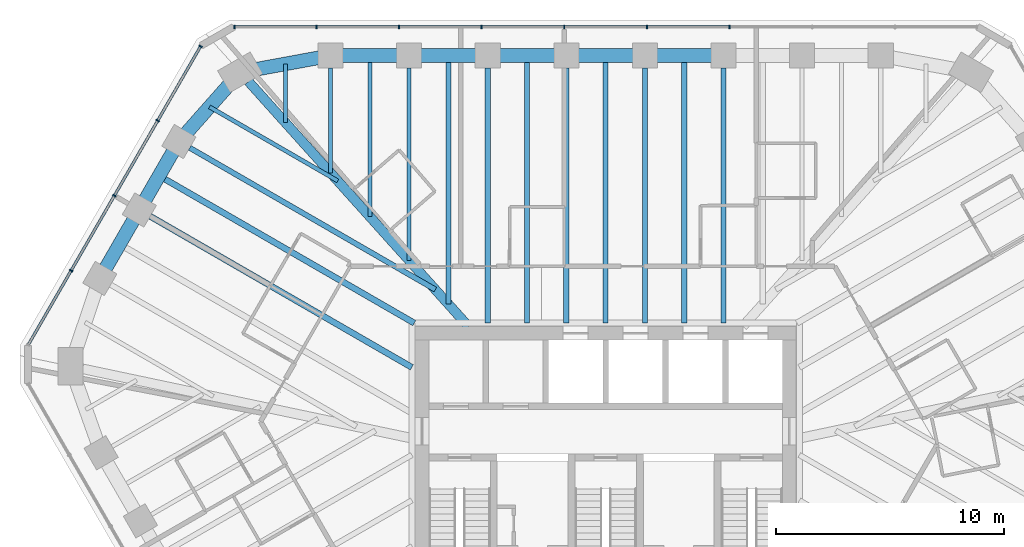
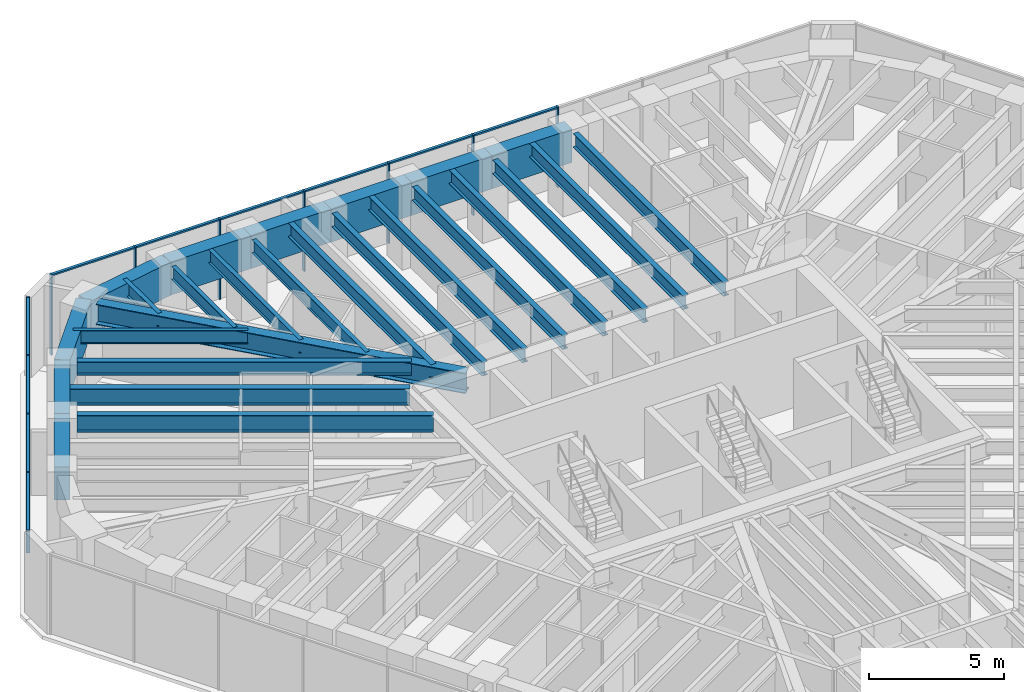
# One storey, part 6 of 14: 26 beams, 21 members, 2 elements without a shape of their own.
"""IFC4 building model written with IfcOpenShell, lengths in metres."""

from ifc_helpers import new_model, si_unit, direction, frame, origin, origin_2d, place, context, subcontext, project, spatial, rectangle, i_section, extrude, material, material_profile, profile_set, type_object, element, aggregate, save


model = new_model("IFC4")

# Units and contexts
model_context = context("Model", 3, precision=1e-05, world=origin(), true_north=direction((0.0, 1.0)))
body_context = subcontext(model_context, "Body", "Model", "MODEL_VIEW")
ifc_project = project(units=[si_unit("LENGTHUNIT", "METRE"), si_unit("AREAUNIT", "SQUARE_METRE"), si_unit("VOLUMEUNIT", "CUBIC_METRE"), si_unit("PLANEANGLEUNIT", "RADIAN"), si_unit("MASSUNIT", "GRAM", prefix="KILO")], contexts=[model_context])

# Site, building, storey
site_placement = place(None, origin())
site = spatial("IfcSite", under=ifc_project, at=site_placement, CompositionType="ELEMENT")
building_placement = place(site_placement, origin())
building = spatial("IfcBuilding", under=site, at=building_placement, Name="Sandreach Pilgrim Tower", CompositionType="ELEMENT")
storey_placement = place(building_placement, frame((0.0, 0.0, 264.60009765625)))
storey = spatial("IfcBuildingStorey", under=building, at=storey_placement, Name="L66", CompositionType="ELEMENT", Elevation=264.60009765625)

# Curtain wall, members
ifc_material_1 = material(Name="Aluminium framed curtain wall", Category="aluminium")
curtain_wall_type = type_object("IfcCurtainWallType", Name="Suite tower curtain wall", PredefinedType="NOTDEFINED", material=ifc_material_1)
curtain_wall_1_placement = place(storey_placement, origin())
curtain_wall_1 = element("IfcCurtainWall", 1, at=curtain_wall_1_placement, inside=storey, type_object=curtain_wall_type, Name="CW-4 L66 N", PredefinedType="NOTDEFINED")
ifc_material_2 = material(Name="Aluminium extrusion", Category="aluminium")
ifc_material_profile_1 = material_profile(ifc_material_2, rectangle(XDim=0.06005859375, YDim=0.159912109375, at=origin_2d()), Name="CW-4M 60X160")
ifc_profile_set_1 = profile_set([ifc_material_profile_1], Name="Aluminium extrusion")
member_type_1 = type_object("IfcMemberType", Name="CW-4 mullion", PredefinedType="MULLION", material=ifc_profile_set_1)
member_1_placement = place(storey_placement, frame((-16.268310546875, 19.826416015625, 0.0), z_axis=(0.0, 0.0, 1.0), x_axis=(1.0, 0.0, 0.0)))
member_1 = element("IfcMember", 2, at=member_1_placement, type_object=member_type_1, Name="CW-4 mullion 1", PredefinedType="MULLION", context=body_context, shape_type="SweptSolid", body=[
    extrude(rectangle(XDim=0.06005859375, YDim=0.159912109375, at=origin_2d()), origin(), (0.0, 0.0, 1.0), 3.639892578125),
])
member_2_placement = place(storey_placement, frame((-12.676513671875, 19.826416015625, 0.0), z_axis=(0.0, 0.0, 1.0), x_axis=(1.0, 0.0, 0.0)))
member_2 = element("IfcMember", 3, at=member_2_placement, type_object=member_type_1, Name="CW-4 mullion 2", PredefinedType="MULLION", context=body_context, shape_type="SweptSolid", body=[
    extrude(rectangle(XDim=0.06005859375, YDim=0.159912109375, at=origin_2d()), origin(), (0.0, 0.0, 1.0), 3.639892578125),
])
member_3_placement = place(storey_placement, frame((-9.0546875, 19.826416015625, 0.0), z_axis=(0.0, 0.0, 1.0), x_axis=(1.0, 0.0, 0.0)))
member_3 = element("IfcMember", 4, at=member_3_placement, type_object=member_type_1, Name="CW-4 mullion 3", PredefinedType="MULLION", context=body_context, shape_type="SweptSolid", body=[
    extrude(rectangle(XDim=0.06005859375, YDim=0.159912109375, at=origin_2d()), origin(), (0.0, 0.0, 1.0), 3.639892578125),
])
member_4_placement = place(storey_placement, frame((-5.432861328125, 19.826416015625, 0.0), z_axis=(0.0, 0.0, 1.0), x_axis=(1.0, 0.0, 0.0)))
member_4 = element("IfcMember", 5, at=member_4_placement, type_object=member_type_1, Name="CW-4 mullion 4", PredefinedType="MULLION", context=body_context, shape_type="SweptSolid", body=[
    extrude(rectangle(XDim=0.06005859375, YDim=0.159912109375, at=origin_2d()), origin(), (0.0, 0.0, 1.0), 3.639892578125),
])
member_5_placement = place(storey_placement, frame((-1.81103515625, 19.826416015625, 0.0), z_axis=(0.0, 0.0, 1.0), x_axis=(1.0, 0.0, 0.0)))
member_5 = element("IfcMember", 6, at=member_5_placement, type_object=member_type_1, Name="CW-4 mullion 5", PredefinedType="MULLION", context=body_context, shape_type="SweptSolid", body=[
    extrude(rectangle(XDim=0.06005859375, YDim=0.159912109375, at=origin_2d()), origin(), (0.0, 0.0, 1.0), 3.639892578125),
])
member_6_placement = place(storey_placement, frame((1.81103515625, 19.826416015625, 0.0), z_axis=(0.0, 0.0, 1.0), x_axis=(1.0, 0.0, 0.0)))
member_6 = element("IfcMember", 7, at=member_6_placement, type_object=member_type_1, Name="CW-4 mullion 6", PredefinedType="MULLION", context=body_context, shape_type="SweptSolid", body=[
    extrude(rectangle(XDim=0.06005859375, YDim=0.159912109375, at=origin_2d()), origin(), (0.0, 0.0, 1.0), 3.639892578125),
])
member_7_placement = place(storey_placement, frame((5.432861328125, 19.826416015625, 0.0), z_axis=(0.0, 0.0, 1.0), x_axis=(1.0, 0.0, 0.0)))
member_7 = element("IfcMember", 8, at=member_7_placement, type_object=member_type_1, Name="CW-4 mullion 7", PredefinedType="MULLION", context=body_context, shape_type="SweptSolid", body=[
    extrude(rectangle(XDim=0.06005859375, YDim=0.159912109375, at=origin_2d()), origin(), (0.0, 0.0, 1.0), 3.639892578125),
])

curtain_wall_2_placement = place(storey_placement, origin())
curtain_wall_2 = element("IfcCurtainWall", 9, at=curtain_wall_2_placement, inside=storey, type_object=curtain_wall_type, Name="CW-4 L66 NW", PredefinedType="NOTDEFINED")
member_8_placement = place(storey_placement, frame((-23.423583984375, 9.145263671875, 0.0), z_axis=(0.0, 0.0, 1.0), x_axis=(0.5, 0.866025403784, 0.0)))
member_8 = element("IfcMember", 10, at=member_8_placement, type_object=member_type_1, Name="CW-4 mullion 2", PredefinedType="MULLION", context=body_context, shape_type="SweptSolid", body=[
    extrude(rectangle(XDim=0.06005859375, YDim=0.159912109375, at=origin_2d()), origin(), (0.0, 0.0, 1.0), 3.639892578125),
])
member_9_placement = place(storey_placement, frame((-21.527587890625, 12.428955078125, 0.0), z_axis=(0.0, 0.0, 1.0), x_axis=(0.5, 0.866025403784, 0.0)))
member_9 = element("IfcMember", 11, at=member_9_placement, type_object=member_type_1, Name="CW-4 mullion 3", PredefinedType="MULLION", context=body_context, shape_type="SweptSolid", body=[
    extrude(rectangle(XDim=0.06005859375, YDim=0.159912109375, at=origin_2d()), origin(), (0.0, 0.0, 1.0), 3.639892578125),
])
member_10_placement = place(storey_placement, frame((-19.6318359375, 15.712646484375, 0.0), z_axis=(0.0, 0.0, 1.0), x_axis=(0.5, 0.866025403784, 0.0)))
member_10 = element("IfcMember", 12, at=member_10_placement, type_object=member_type_1, Name="CW-4 mullion 4", PredefinedType="MULLION", context=body_context, shape_type="SweptSolid", body=[
    extrude(rectangle(XDim=0.06005859375, YDim=0.159912109375, at=origin_2d()), origin(), (0.0, 0.0, 1.0), 3.639892578125),
])
member_11_placement = place(storey_placement, frame((-17.7509765625, 18.970458984375, 0.0), z_axis=(0.0, 0.0, 1.0), x_axis=(0.5, 0.866025403784, 0.0)))
member_11 = element("IfcMember", 13, at=member_11_placement, type_object=member_type_1, Name="CW-4 mullion 5", PredefinedType="MULLION", context=body_context, shape_type="SweptSolid", body=[
    extrude(rectangle(XDim=0.06005859375, YDim=0.159912109375, at=origin_2d()), origin(), (0.0, 0.0, 1.0), 3.639892578125),
])

# Member
ifc_material_3 = material(Name="Aluminium extrusion", Category="aluminium")
ifc_material_profile_2 = material_profile(ifc_material_3, rectangle(XDim=0.1201171875, YDim=0.070068359375, at=origin_2d()), Name="CW-4T 120X70")
ifc_profile_set_2 = profile_set([ifc_material_profile_2], Name="Aluminium extrusion")
member_type_2 = type_object("IfcMemberType", Name="CW-4 transom", PredefinedType="USERDEFINED", material=ifc_profile_set_2)
member_12_placement = place(storey_placement, frame((-16.23828125, 19.826416015625, 3.60498046875), z_axis=(1.0, 0.0, 0.0), x_axis=(0.0, 1.0, 0.0)))
member_12 = element("IfcMember", 14, at=member_12_placement, type_object=member_type_2, Name="CW-4 head transom 1", ObjectType="TRANSOM", PredefinedType="USERDEFINED", context=body_context, shape_type="SweptSolid", body=[
    extrude(rectangle(XDim=0.1201171875, YDim=0.070068359375, at=origin_2d()), origin(), (0.0, 0.0, 1.0), 3.53173828125),
])

member_13_placement = place(storey_placement, frame((-12.646484375, 19.826416015625, 3.60498046875), z_axis=(1.0, 0.0, 0.0), x_axis=(0.0, 1.0, 0.0)))
member_13 = element("IfcMember", 15, at=member_13_placement, type_object=member_type_2, Name="CW-4 head transom 2", ObjectType="TRANSOM", PredefinedType="USERDEFINED", context=body_context, shape_type="SweptSolid", body=[
    extrude(rectangle(XDim=0.1201171875, YDim=0.070068359375, at=origin_2d()), origin(), (0.0, 0.0, 1.0), 3.561767578125),
])

member_14_placement = place(storey_placement, frame((-9.024658203125, 19.826416015625, 3.60498046875), z_axis=(1.0, 0.0, 0.0), x_axis=(0.0, 1.0, 0.0)))
member_14 = element("IfcMember", 16, at=member_14_placement, type_object=member_type_2, Name="CW-4 head transom 3", ObjectType="TRANSOM", PredefinedType="USERDEFINED", context=body_context, shape_type="SweptSolid", body=[
    extrude(rectangle(XDim=0.1201171875, YDim=0.070068359375, at=origin_2d()), origin(), (0.0, 0.0, 1.0), 3.561767578125),
])

member_15_placement = place(storey_placement, frame((-5.40283203125, 19.826416015625, 3.60498046875), z_axis=(1.0, 0.0, 0.0), x_axis=(0.0, 1.0, 0.0)))
member_15 = element("IfcMember", 17, at=member_15_placement, type_object=member_type_2, Name="CW-4 head transom 4", ObjectType="TRANSOM", PredefinedType="USERDEFINED", context=body_context, shape_type="SweptSolid", body=[
    extrude(rectangle(XDim=0.1201171875, YDim=0.070068359375, at=origin_2d()), origin(), (0.0, 0.0, 1.0), 3.56201171875),
])

member_16_placement = place(storey_placement, frame((-1.781005859375, 19.826416015625, 3.60498046875), z_axis=(1.0, 0.0, 0.0), x_axis=(0.0, 1.0, 0.0)))
member_16 = element("IfcMember", 18, at=member_16_placement, type_object=member_type_2, Name="CW-4 head transom 5", ObjectType="TRANSOM", PredefinedType="USERDEFINED", context=body_context, shape_type="SweptSolid", body=[
    extrude(rectangle(XDim=0.1201171875, YDim=0.070068359375, at=origin_2d()), origin(), (0.0, 0.0, 1.0), 3.56201171875),
])

member_17_placement = place(storey_placement, frame((1.8408203125, 19.826416015625, 3.60498046875), z_axis=(1.0, 0.0, 0.0), x_axis=(0.0, 1.0, 0.0)))
member_17 = element("IfcMember", 19, at=member_17_placement, type_object=member_type_2, Name="CW-4 head transom 6", ObjectType="TRANSOM", PredefinedType="USERDEFINED", context=body_context, shape_type="SweptSolid", body=[
    extrude(rectangle(XDim=0.1201171875, YDim=0.070068359375, at=origin_2d()), origin(), (0.0, 0.0, 1.0), 3.56201171875),
])

aggregate(curtain_wall_1, [member_1, member_2, member_3, member_4, member_5, member_6, member_7, member_12, member_13, member_14, member_15, member_16, member_17])

member_18_placement = place(storey_placement, frame((-25.289306640625, 5.91357421875, 3.60498046875), z_axis=(0.499990780478, 0.866030726613, 0.0), x_axis=(-0.866030726613, 0.499990780478, 0.0)))
member_18 = element("IfcMember", 20, at=member_18_placement, type_object=member_type_2, Name="CW-4 head transom 1", ObjectType="TRANSOM", PredefinedType="USERDEFINED", context=body_context, shape_type="SweptSolid", body=[
    extrude(rectangle(XDim=0.1201171875, YDim=0.070068359375, at=origin_2d()), origin(), (0.0, 0.0, 1.0), 3.70166015625),
])

member_19_placement = place(storey_placement, frame((-23.408447265625, 9.17138671875, 3.60498046875), z_axis=(0.499981083104, 0.866036325184, 0.0), x_axis=(-0.866036325184, 0.499981083104, 0.0)))
member_19 = element("IfcMember", 21, at=member_19_placement, type_object=member_type_2, Name="CW-4 head transom 2", ObjectType="TRANSOM", PredefinedType="USERDEFINED", context=body_context, shape_type="SweptSolid", body=[
    extrude(rectangle(XDim=0.1201171875, YDim=0.070068359375, at=origin_2d()), origin(), (0.0, 0.0, 1.0), 3.731689453125),
])

member_20_placement = place(storey_placement, frame((-21.5126953125, 12.455078125, 3.60498046875), z_axis=(0.500030151002, 0.866007995396, 0.0), x_axis=(-0.866007995396, 0.500030151002, 0.0)))
member_20 = element("IfcMember", 22, at=member_20_placement, type_object=member_type_2, Name="CW-4 head transom 3", ObjectType="TRANSOM", PredefinedType="USERDEFINED", context=body_context, shape_type="SweptSolid", body=[
    extrude(rectangle(XDim=0.1201171875, YDim=0.070068359375, at=origin_2d()), origin(), (0.0, 0.0, 1.0), 3.731689453125),
])

member_21_placement = place(storey_placement, frame((-19.616943359375, 15.73876953125, 3.60498046875), z_axis=(0.499990780478, 0.866030726613, 0.0), x_axis=(-0.866030726613, 0.499990780478, 0.0)))
member_21 = element("IfcMember", 23, at=member_21_placement, type_object=member_type_2, Name="CW-4 head transom 4", ObjectType="TRANSOM", PredefinedType="USERDEFINED", context=body_context, shape_type="SweptSolid", body=[
    extrude(rectangle(XDim=0.1201171875, YDim=0.070068359375, at=origin_2d()), origin(), (0.0, 0.0, 1.0), 3.70166015625),
])

aggregate(curtain_wall_2, [member_8, member_9, member_10, member_11, member_18, member_19, member_20, member_21])

# Beams
ifc_material_4 = material(Name="Steel ASTM A992 Grade 50", Category="steel")
ifc_material_profile_3 = material_profile(ifc_material_4, i_section(OverallWidth=0.419189453125, OverallDepth=0.927001953125, WebThickness=0.019287109375, FlangeThickness=0.031982421875, at=origin_2d()), Name="W36X231")
ifc_profile_set_3 = profile_set([ifc_material_profile_3], Name="Steel ASTM A992 Grade 50")
beam_type_1 = type_object("IfcBeamType", Name="Corner girder W36X231", PredefinedType="BEAM", material=ifc_profile_set_3)
beam_1_placement = place(storey_placement, frame((-15.649169921875, 17.427978515625, 3.17626953125), z_axis=(0.668114851597, -0.74405815974, 0.0), x_axis=(0.74405815974, 0.668114851597, 0.0)))
element("IfcBeam", 24, at=beam_1_placement, inside=storey, type_object=beam_type_1, Name="BM L66 CG39", PredefinedType="BEAM", context=body_context, shape_type="SweptSolid", body=[
    extrude(i_section(OverallWidth=0.419189453125, OverallDepth=0.927001953125, WebThickness=0.019287109375, FlangeThickness=0.031982421875, at=origin_2d()), origin(), (0.0, 0.0, 1.0), 14.418212890625),
])
ifc_material_5 = material(Name="Steel ASTM A992 Grade 50", Category="steel")
ifc_material_profile_4 = material_profile(ifc_material_5, i_section(OverallWidth=0.1787109375, OverallDepth=0.60205078125, WebThickness=0.010986328125, FlangeThickness=0.014892578125, at=origin_2d()), Name="W24X62")
ifc_profile_set_4 = profile_set([ifc_material_profile_4], Name="Steel ASTM A992 Grade 50")
beam_type_2 = type_object("IfcBeamType", Name="Floor beam W24X62", PredefinedType="BEAM", material=ifc_profile_set_4)
beam_2_placement = place(storey_placement, frame((-12.0576171875, 18.016357421875, 3.3388671875), z_axis=(0.0, -1.0, 0.0), x_axis=(1.0, 0.0, 0.0)))
element("IfcBeam", 25, at=beam_2_placement, inside=storey, type_object=beam_type_2, Name="BM L66 F01", PredefinedType="BEAM", context=body_context, shape_type="SweptSolid", body=[
    extrude(i_section(OverallWidth=0.1787109375, OverallDepth=0.60205078125, WebThickness=0.010986328125, FlangeThickness=0.014892578125, at=origin_2d()), origin(), (0.0, 0.0, 1.0), 4.58837890625),
])
beam_3_placement = place(storey_placement, frame((-8.612548828125, 18.016357421875, 3.3388671875), z_axis=(0.0, -1.0, 0.0), x_axis=(1.0, 0.0, 0.0)))
element("IfcBeam", 26, at=beam_3_placement, inside=storey, type_object=beam_type_2, Name="BM L66 F02", PredefinedType="BEAM", context=body_context, shape_type="SweptSolid", body=[
    extrude(i_section(OverallWidth=0.1787109375, OverallDepth=0.60205078125, WebThickness=0.010986328125, FlangeThickness=0.014892578125, at=origin_2d()), origin(), (0.0, 0.0, 1.0), 8.4248046875),
])
beam_4_placement = place(storey_placement, frame((-10.3349609375, 18.56640625, 3.3388671875), z_axis=(0.0, -1.0, 0.0), x_axis=(1.0, 0.0, 0.0)))
element("IfcBeam", 27, at=beam_4_placement, inside=storey, type_object=beam_type_2, Name="BM L66 FM01", PredefinedType="BEAM", context=body_context, shape_type="SweptSolid", body=[
    extrude(i_section(OverallWidth=0.1787109375, OverallDepth=0.60205078125, WebThickness=0.010986328125, FlangeThickness=0.014892578125, at=origin_2d()), origin(), (0.0, 0.0, 1.0), 7.056640625),
])
beam_5_placement = place(storey_placement, frame((-17.360107421875, 16.31884765625, 3.3388671875), z_axis=(0.866023980233, -0.500002465655, 0.0), x_axis=(0.500002465655, 0.866023980233, 0.0)))
element("IfcBeam", 28, at=beam_5_placement, inside=storey, type_object=beam_type_2, Name="BM L66 FM38", PredefinedType="BEAM", context=body_context, shape_type="SweptSolid", body=[
    extrude(i_section(OverallWidth=0.1787109375, OverallDepth=0.60205078125, WebThickness=0.010986328125, FlangeThickness=0.014892578125, at=origin_2d()), origin(), (0.0, 0.0, 1.0), 6.49072265625),
])
beam_6_placement = place(storey_placement, frame((-14.037109375, 18.201904296875, 3.3388671875), z_axis=(0.0, -1.0, 0.0), x_axis=(1.0, 0.0, 0.0)))
element("IfcBeam", 29, at=beam_6_placement, inside=storey, type_object=beam_type_2, Name="BM L66 FM39", PredefinedType="BEAM", context=body_context, shape_type="SweptSolid", body=[
    extrude(i_section(OverallWidth=0.1787109375, OverallDepth=0.60205078125, WebThickness=0.010986328125, FlangeThickness=0.014892578125, at=origin_2d()), origin(), (0.0, 0.0, 1.0), 2.5693359375),
])
ifc_material_6 = material(Name="Steel ASTM A992 Grade 50", Category="steel")
ifc_material_profile_5 = material_profile(ifc_material_6, i_section(OverallWidth=0.23046875, OverallDepth=0.6171875, WebThickness=0.01318359375, FlangeThickness=0.022216796875, at=origin_2d()), Name="W24X94")
ifc_profile_set_5 = profile_set([ifc_material_profile_5], Name="Steel ASTM A992 Grade 50")
beam_type_3 = type_object("IfcBeamType", Name="Floor beam W24X94", PredefinedType="BEAM", material=ifc_profile_set_5)
for number, where, z_axis, x_axis, name in (
    (30, (-5.16748046875, 18.016357421875, 3.331298828125), (0.0, -1.0, 0.0), (1.0, 0.0, 0.0), "BM L66 F03"),
    (31, (-1.722412109375, 18.016357421875, 3.331298828125), (0.0, -1.0, 0.0), (1.0, 0.0, 0.0), "BM L66 F04"),
    (32, (1.722412109375, 18.016357421875, 3.331298828125), (0.0, -1.0, 0.0), (1.0, 0.0, 0.0), "BM L66 F05"),
    (33, (5.16748046875, 18.016357421875, 3.331298828125), (0.0, -1.0, 0.0), (1.0, 0.0, 0.0), "BM L66 F06"),
):
    element("IfcBeam", number, at=place(storey_placement, frame(where, z_axis=z_axis, x_axis=x_axis)), inside=storey, type_object=beam_type_3, Name=name, PredefinedType="BEAM", context=body_context, shape_type="SweptSolid", body=[
        extrude(i_section(OverallWidth=0.23046875, OverallDepth=0.6171875, WebThickness=0.01318359375, FlangeThickness=0.022216796875, at=origin_2d()), origin(), (0.0, 0.0, 1.0), 11.173095703125),
    ])
beam_7_placement = place(storey_placement, frame((-18.227294921875, 14.525390625, 3.331298828125), z_axis=(0.866020427415, -0.500008619226, 0.0), x_axis=(0.500008619226, 0.866020427415, 0.0)))
element("IfcBeam", 34, at=beam_7_placement, inside=storey, type_object=beam_type_3, Name="BM L66 F38", PredefinedType="BEAM", context=body_context, shape_type="SweptSolid", body=[
    extrude(i_section(OverallWidth=0.23046875, OverallDepth=0.6171875, WebThickness=0.01318359375, FlangeThickness=0.022216796875, at=origin_2d()), origin(), (0.0, 0.0, 1.0), 12.431396484375),
])
beam_8_placement = place(storey_placement, frame((-6.89013671875, 18.56640625, 3.331298828125), z_axis=(0.0, -1.0, 0.0), x_axis=(1.0, 0.0, 0.0)))
element("IfcBeam", 35, at=beam_8_placement, inside=storey, type_object=beam_type_3, Name="BM L66 FM02", PredefinedType="BEAM", context=body_context, shape_type="SweptSolid", body=[
    extrude(i_section(OverallWidth=0.23046875, OverallDepth=0.6171875, WebThickness=0.01318359375, FlangeThickness=0.022216796875, at=origin_2d()), origin(), (0.0, 0.0, 1.0), 10.893310546875),
])
for number, where, z_axis, x_axis, name in (
    (36, (-3.445068359375, 18.56640625, 3.331298828125), (0.0, -1.0, 0.0), (1.0, 0.0, 0.0), "BM L66 FM03"),
    (37, (0.0, 18.56640625, 3.331298828125), (0.0, -1.0, 0.0), (1.0, 0.0, 0.0), "BM L66 FM04"),
    (38, (3.445068359375, 18.56640625, 3.331298828125), (0.0, -1.0, 0.0), (1.0, 0.0, 0.0), "BM L66 FM05"),
):
    element("IfcBeam", number, at=place(storey_placement, frame(where, z_axis=z_axis, x_axis=x_axis)), inside=storey, type_object=beam_type_3, Name=name, PredefinedType="BEAM", context=body_context, shape_type="SweptSolid", body=[
        extrude(i_section(OverallWidth=0.23046875, OverallDepth=0.6171875, WebThickness=0.01318359375, FlangeThickness=0.022216796875, at=origin_2d()), origin(), (0.0, 0.0, 1.0), 11.72314453125),
    ])
ifc_material_7 = material(Name="Steel ASTM A992 Grade 50", Category="steel")
ifc_material_profile_6 = material_profile(ifc_material_7, i_section(OverallWidth=0.2666015625, OverallDepth=0.761962890625, WebThickness=0.014404296875, FlangeThickness=0.021484375, at=origin_2d()), Name="W30X116")
ifc_profile_set_6 = profile_set([ifc_material_profile_6], Name="Steel ASTM A992 Grade 50")
beam_type_4 = type_object("IfcBeamType", Name="Floor beam W30X116", PredefinedType="BEAM", material=ifc_profile_set_6)
beam_9_placement = place(storey_placement, frame((-19.960205078125, 11.52392578125, 3.2587890625), z_axis=(0.86602530353, -0.500000173646, 0.0), x_axis=(0.500000173646, 0.86602530353, 0.0)))
element("IfcBeam", 39, at=beam_9_placement, inside=storey, type_object=beam_type_4, Name="BM L66 F37", PredefinedType="BEAM", context=body_context, shape_type="SweptSolid", body=[
    extrude(i_section(OverallWidth=0.2666015625, OverallDepth=0.761962890625, WebThickness=0.014404296875, FlangeThickness=0.021484375, at=origin_2d()), origin(), (0.0, 0.0, 1.0), 13.24072265625),
])
beam_10_placement = place(storey_placement, frame((-19.570068359375, 13.299560546875, 3.2587890625), z_axis=(0.866025008595, -0.500000684488, 0.0), x_axis=(0.500000684488, 0.866025008595, 0.0)))
element("IfcBeam", 40, at=beam_10_placement, inside=storey, type_object=beam_type_4, Name="BM L66 FM37", PredefinedType="BEAM", context=body_context, shape_type="SweptSolid", body=[
    extrude(i_section(OverallWidth=0.2666015625, OverallDepth=0.761962890625, WebThickness=0.014404296875, FlangeThickness=0.021484375, at=origin_2d()), origin(), (0.0, 0.0, 1.0), 12.91259765625),
])
ifc_material_8 = material(Name="Concrete 10000 psi", Category="concrete")
ifc_material_profile_7 = material_profile(ifc_material_8, rectangle(XDim=0.60009765625, YDim=1.5, at=origin_2d()), Name="RC600X1500")
ifc_profile_set_7 = profile_set([ifc_material_profile_7], Name="Concrete 10000 psi")
beam_type_5 = type_object("IfcBeamType", Name="Spandrel beam RC600X1500", PredefinedType="SPANDREL", material=ifc_profile_set_7)
for number, where, z_axis, x_axis, name in (
    (41, (-12.0576171875, 18.56640625, 2.889892578125), (1.0, 0.0, 0.0), (0.0, 1.0, 0.0), "BM L66 SP01"),
    (42, (-8.612548828125, 18.56640625, 2.889892578125), (1.0, 0.0, 0.0), (0.0, 1.0, 0.0), "BM L66 SP02"),
    (43, (-5.16748046875, 18.56640625, 2.889892578125), (1.0, 0.0, 0.0), (0.0, 1.0, 0.0), "BM L66 SP03"),
):
    element("IfcBeam", number, at=place(storey_placement, frame(where, z_axis=z_axis, x_axis=x_axis)), inside=storey, type_object=beam_type_5, Name=name, PredefinedType="SPANDREL", context=body_context, shape_type="SweptSolid", body=[
        extrude(rectangle(XDim=0.60009765625, YDim=1.5, at=origin_2d()), origin(), (0.0, 0.0, 1.0), 3.445068359375),
    ])
beam_11_placement = place(storey_placement, frame((-1.722412109375, 18.56640625, 2.889892578125), z_axis=(1.0, 0.0, 0.0), x_axis=(0.0, 1.0, 0.0)))
element("IfcBeam", 44, at=beam_11_placement, inside=storey, type_object=beam_type_5, Name="BM L66 SP04", PredefinedType="SPANDREL", context=body_context, shape_type="SweptSolid", body=[
    extrude(rectangle(XDim=0.60009765625, YDim=1.5, at=origin_2d()), origin(), (0.0, 0.0, 1.0), 3.44482421875),
])
beam_12_placement = place(storey_placement, frame((1.722412109375, 18.56640625, 2.889892578125), z_axis=(1.0, 0.0, 0.0), x_axis=(0.0, 1.0, 0.0)))
element("IfcBeam", 45, at=beam_12_placement, inside=storey, type_object=beam_type_5, Name="BM L66 SP05", PredefinedType="SPANDREL", context=body_context, shape_type="SweptSolid", body=[
    extrude(rectangle(XDim=0.60009765625, YDim=1.5, at=origin_2d()), origin(), (0.0, 0.0, 1.0), 3.445068359375),
])
for number, where, z_axis, x_axis, name in (
    (46, (-22.169189453125, 8.7978515625, 2.889892578125), (0.499980616072, 0.866036594811, 0.0), (-0.866036594811, 0.499980616072, 0.0), "BM L66 SP36"),
    (47, (-20.4365234375, 11.799072265625, 2.889892578125), (0.500033451825, 0.866006089503, 0.0), (-0.866006089503, 0.500033451825, 0.0), "BM L66 SP37"),
):
    element("IfcBeam", number, at=place(storey_placement, frame(where, z_axis=z_axis, x_axis=x_axis)), inside=storey, type_object=beam_type_5, Name=name, PredefinedType="SPANDREL", context=body_context, shape_type="SweptSolid", body=[
        extrude(rectangle(XDim=0.60009765625, YDim=1.5, at=origin_2d()), origin(), (0.0, 0.0, 1.0), 3.465576171875),
    ])
beam_13_placement = place(storey_placement, frame((-18.70361328125, 14.80029296875, 2.889892578125), z_axis=(0.662650525414, 0.748928755736, 0.0), x_axis=(-0.748928755736, 0.662650525414, 0.0)))
element("IfcBeam", 48, at=beam_13_placement, inside=storey, type_object=beam_type_5, Name="BM L66 SP38", PredefinedType="SPANDREL", context=body_context, shape_type="SweptSolid", body=[
    extrude(rectangle(XDim=0.60009765625, YDim=1.5, at=origin_2d()), origin(), (0.0, 0.0, 1.0), 4.054931640625),
])
beam_14_placement = place(storey_placement, frame((-16.0166015625, 17.837158203125, 2.889892578125), z_axis=(0.983454894629, 0.181153167875, 0.0), x_axis=(-0.181153167875, 0.983454894629, 0.0)))
element("IfcBeam", 49, at=beam_14_placement, inside=storey, type_object=beam_type_5, Name="BM L66 SP39", PredefinedType="SPANDREL", context=body_context, shape_type="SweptSolid", body=[
    extrude(rectangle(XDim=0.60009765625, YDim=1.5, at=origin_2d()), origin(), (0.0, 0.0, 1.0), 4.025634765625),
])

save(model, "model.ifc")
